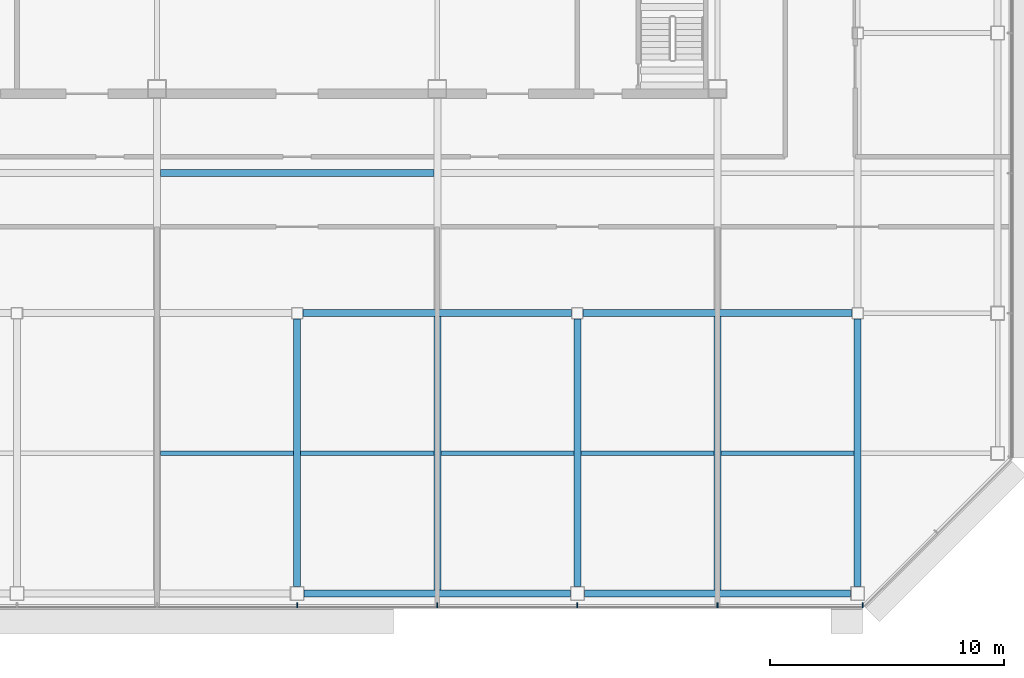
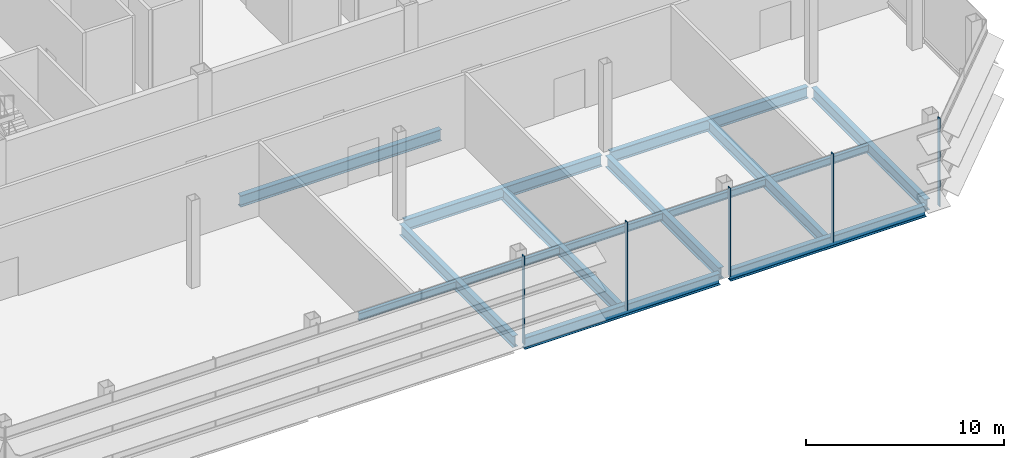
# One storey, part 9 of 26: 15 beams, 5 members, 1 element without a shape of its own.
"""IFC4 building model written with IfcOpenShell, lengths in metres."""

from ifc_helpers import new_model, si_unit, direction, frame, origin, origin_2d, place, context, subcontext, project, spatial, rectangle, i_section, extrude, material, material_profile, profile_set, type_object, element, aggregate, save


model = new_model("IFC4")

# Units and contexts
model_context = context("Model", 3, precision=1e-05, world=origin(), true_north=direction((0.0, 1.0)))
body_context = subcontext(model_context, "Body", "Model", "MODEL_VIEW")
ifc_project = project(units=[si_unit("LENGTHUNIT", "METRE"), si_unit("AREAUNIT", "SQUARE_METRE"), si_unit("VOLUMEUNIT", "CUBIC_METRE"), si_unit("PLANEANGLEUNIT", "RADIAN"), si_unit("MASSUNIT", "GRAM", prefix="KILO")], contexts=[model_context])

# Site, building, storey
site_placement = place(None, origin())
site = spatial("IfcSite", under=ifc_project, at=site_placement, CompositionType="ELEMENT")
building_placement = place(site_placement, origin())
building = spatial("IfcBuilding", under=site, at=building_placement, Name="Sorahane Residences", CompositionType="ELEMENT")
storey_placement = place(building_placement, frame((0.0, 0.0, 257.60009765625)))
storey = spatial("IfcBuildingStorey", under=building, at=storey_placement, Name="L61", CompositionType="ELEMENT", Elevation=257.60009765625)

# Curtain wall, members
ifc_material_1 = material(Name="Dark low-e glass and black anodised aluminium", Category="aluminium")
curtain_wall_type = type_object("IfcCurtainWallType", Name="Curtain wall CW-4 Sky floor frameless wall", PredefinedType="NOTDEFINED", material=ifc_material_1)
curtain_wall_placement = place(storey_placement, origin())
curtain_wall = element("IfcCurtainWall", 1, at=curtain_wall_placement, inside=storey, type_object=curtain_wall_type, Name="CW-4 curtain wall L61 S1", PredefinedType="NOTDEFINED")
ifc_material_2 = material(Name="Black anodised aluminium", Category="aluminium")
ifc_material_profile_1 = material_profile(ifc_material_2, rectangle(XDim=0.219970703125, YDim=0.050048828125, at=origin_2d()), Name="Curtain wall mullion CW-4 black anodised aluminium 50x220")
ifc_profile_set_1 = profile_set([ifc_material_profile_1], Name="Black anodised aluminium")
member_type = type_object("IfcMemberType", Name="Curtain wall mullion CW-4 black anodised aluminium 50x220", PredefinedType="MULLION", material=ifc_profile_set_1)
member_1_placement = place(storey_placement, frame((24.0, -0.510009765625, -0.22021484375), z_axis=(0.0, 0.0, 1.0), x_axis=(0.0, -1.0, 0.0)))
member_1 = element("IfcMember", 2, at=member_1_placement, type_object=member_type, Name="CW-4 mullion L61 S1.6", PredefinedType="MULLION", context=body_context, shape_type="SweptSolid", body=[
    extrude(rectangle(XDim=0.219970703125, YDim=0.050048828125, at=origin_2d()), origin(), (0.0, 0.0, 1.0), 5.440185546875),
])
member_2_placement = place(storey_placement, frame((30.0, -0.510009765625, -0.22021484375), z_axis=(0.0, 0.0, 1.0), x_axis=(0.0, -1.0, 0.0)))
member_2 = element("IfcMember", 3, at=member_2_placement, type_object=member_type, Name="CW-4 mullion L61 S1.7", PredefinedType="MULLION", context=body_context, shape_type="SweptSolid", body=[
    extrude(rectangle(XDim=0.219970703125, YDim=0.050048828125, at=origin_2d()), origin(), (0.0, 0.0, 1.0), 5.440185546875),
])
member_3_placement = place(storey_placement, frame((36.0, -0.510009765625, -0.22021484375), z_axis=(0.0, 0.0, 1.0), x_axis=(0.0, -1.0, 0.0)))
member_3 = element("IfcMember", 4, at=member_3_placement, type_object=member_type, Name="CW-4 mullion L61 S1.8", PredefinedType="MULLION", context=body_context, shape_type="SweptSolid", body=[
    extrude(rectangle(XDim=0.219970703125, YDim=0.050048828125, at=origin_2d()), origin(), (0.0, 0.0, 1.0), 5.440185546875),
])
member_4_placement = place(storey_placement, frame((42.0, -0.510009765625, -0.22021484375), z_axis=(0.0, 0.0, 1.0), x_axis=(0.0, -1.0, 0.0)))
member_4 = element("IfcMember", 5, at=member_4_placement, type_object=member_type, Name="CW-4 mullion L61 S1.9", PredefinedType="MULLION", context=body_context, shape_type="SweptSolid", body=[
    extrude(rectangle(XDim=0.219970703125, YDim=0.050048828125, at=origin_2d()), origin(), (0.0, 0.0, 1.0), 5.440185546875),
])
member_5_placement = place(storey_placement, frame((48.2236328125, -0.510009765625, -0.22021484375), z_axis=(0.0, 0.0, 1.0), x_axis=(0.0, -1.0, 0.0)))
member_5 = element("IfcMember", 6, at=member_5_placement, type_object=member_type, Name="CW-4 mullion L61 S1.10", PredefinedType="MULLION", context=body_context, shape_type="SweptSolid", body=[
    extrude(rectangle(XDim=0.219970703125, YDim=0.050048828125, at=origin_2d()), origin(), (0.0, 0.0, 1.0), 5.440185546875),
])
aggregate(curtain_wall, [member_1, member_2, member_3, member_4, member_5])

# Beams
ifc_material_3 = material(Name="Steel Q355B", Category="steel")
ifc_material_profile_2 = material_profile(ifc_material_3, i_section(OverallWidth=0.199951171875, OverallDepth=0.449951171875, WebThickness=0.009033203125, FlangeThickness=0.013916015625, FilletRadius=0.02001953125, at=origin_2d()), Name="HN 450x200x9x14")
ifc_profile_set_2 = profile_set([ifc_material_profile_2], Name="Steel Q355B")
beam_type_1 = type_object("IfcBeamType", Name="Steel floor beam HN 450x200x9x14 Q355B", PredefinedType="BEAM", material=ifc_profile_set_2)
for number, where, z_axis, x_axis, name in (
    (7, (18.14990234375, 6.0, -0.445068359375), (1.0, 0.0, 0.0), (0.0, 1.0, 0.0), "Beam L61 072"),
    (8, (24.14990234375, 6.0, -0.445068359375), (1.0, 0.0, 0.0), (0.0, 1.0, 0.0), "Beam L61 073"),
    (9, (30.14990234375, 6.0, -0.445068359375), (1.0, 0.0, 0.0), (0.0, 1.0, 0.0), "Beam L61 074"),
    (10, (36.14990234375, 6.0, -0.445068359375), (1.0, 0.0, 0.0), (0.0, 1.0, 0.0), "Beam L61 075"),
    (11, (42.14990234375, 6.0, -0.445068359375), (1.0, 0.0, 0.0), (0.0, 1.0, 0.0), "Beam L61 076"),
):
    element("IfcBeam", number, at=place(storey_placement, frame(where, z_axis=z_axis, x_axis=x_axis)), inside=storey, type_object=beam_type_1, Name=name, PredefinedType="BEAM", context=body_context, shape_type="SweptSolid", body=[
        extrude(i_section(OverallWidth=0.199951171875, OverallDepth=0.449951171875, WebThickness=0.009033203125, FlangeThickness=0.013916015625, FilletRadius=0.02001953125, at=origin_2d()), origin(), (0.0, 0.0, 1.0), 5.7001953125),
    ])
ifc_material_4 = material(Name="Steel Q355B", Category="steel")
ifc_material_profile_3 = material_profile(ifc_material_4, i_section(OverallWidth=0.300048828125, OverallDepth=0.699951171875, WebThickness=0.012939453125, FlangeThickness=0.02392578125, FilletRadius=0.028076171875, at=origin_2d()), Name="HN 700x300x13x24")
ifc_profile_set_3 = profile_set([ifc_material_profile_3], Name="Steel Q355B")
beam_type_2 = type_object("IfcBeamType", Name="Steel floor beam HN 700x300x13x24 Q355B", PredefinedType="BEAM", material=ifc_profile_set_3)
for number, where, z_axis, x_axis, name in (
    (12, (24.300048828125, 0.0, -0.570068359375), (1.0, 0.0, 0.0), (0.0, 1.0, 0.0), "Beam L61 003"),
    (13, (36.300048828125, 0.0, -0.570068359375), (1.0, 0.0, 0.0), (0.0, 1.0, 0.0), "Beam L61 004"),
):
    element("IfcBeam", number, at=place(storey_placement, frame(where, z_axis=z_axis, x_axis=x_axis)), inside=storey, type_object=beam_type_2, Name=name, PredefinedType="BEAM", context=body_context, shape_type="SweptSolid", body=[
        extrude(i_section(OverallWidth=0.300048828125, OverallDepth=0.699951171875, WebThickness=0.012939453125, FlangeThickness=0.02392578125, FilletRadius=0.028076171875, at=origin_2d()), origin(), (0.0, 0.0, 1.0), 11.39990234375),
    ])
for number, where, z_axis, x_axis, name in (
    (14, (24.25, 12.0, -0.570068359375), (1.0, 0.0, 0.0), (0.0, 1.0, 0.0), "Beam L61 008"),
    (15, (36.25, 12.0, -0.570068359375), (1.0, 0.0, 0.0), (0.0, 1.0, 0.0), "Beam L61 009"),
):
    element("IfcBeam", number, at=place(storey_placement, frame(where, z_axis=z_axis, x_axis=x_axis)), inside=storey, type_object=beam_type_2, Name=name, PredefinedType="BEAM", context=body_context, shape_type="SweptSolid", body=[
        extrude(i_section(OverallWidth=0.300048828125, OverallDepth=0.699951171875, WebThickness=0.012939453125, FlangeThickness=0.02392578125, FilletRadius=0.028076171875, at=origin_2d()), origin(), (0.0, 0.0, 1.0), 11.5),
    ])
beam_1_placement = place(storey_placement, frame((24.0, 0.300048828125, -0.570068359375), z_axis=(0.0, 1.0, 0.0), x_axis=(-1.0, 0.0, 0.0)))
element("IfcBeam", 16, at=beam_1_placement, inside=storey, type_object=beam_type_2, Name="Beam L61 042", PredefinedType="BEAM", context=body_context, shape_type="SweptSolid", body=[
    extrude(i_section(OverallWidth=0.300048828125, OverallDepth=0.699951171875, WebThickness=0.012939453125, FlangeThickness=0.02392578125, FilletRadius=0.028076171875, at=origin_2d()), origin(), (0.0, 0.0, 1.0), 11.449951171875),
])
beam_2_placement = place(storey_placement, frame((30.0, 0.14990234375, -0.570068359375), z_axis=(0.0, 1.0, 0.0), x_axis=(-1.0, 0.0, 0.0)))
element("IfcBeam", 17, at=beam_2_placement, inside=storey, type_object=beam_type_2, Name="Beam L61 044", PredefinedType="BEAM", context=body_context, shape_type="SweptSolid", body=[
    extrude(i_section(OverallWidth=0.300048828125, OverallDepth=0.699951171875, WebThickness=0.012939453125, FlangeThickness=0.02392578125, FilletRadius=0.028076171875, at=origin_2d()), origin(), (0.0, 0.0, 1.0), 11.7001953125),
])
beam_3_placement = place(storey_placement, frame((36.0, 0.300048828125, -0.570068359375), z_axis=(0.0, 1.0, 0.0), x_axis=(-1.0, 0.0, 0.0)))
element("IfcBeam", 18, at=beam_3_placement, inside=storey, type_object=beam_type_2, Name="Beam L61 050", PredefinedType="BEAM", context=body_context, shape_type="SweptSolid", body=[
    extrude(i_section(OverallWidth=0.300048828125, OverallDepth=0.699951171875, WebThickness=0.012939453125, FlangeThickness=0.02392578125, FilletRadius=0.028076171875, at=origin_2d()), origin(), (0.0, 0.0, 1.0), 11.449951171875),
])
beam_4_placement = place(storey_placement, frame((42.0, 0.14990234375, -0.570068359375), z_axis=(0.0, 1.0, 0.0), x_axis=(-1.0, 0.0, 0.0)))
element("IfcBeam", 19, at=beam_4_placement, inside=storey, type_object=beam_type_2, Name="Beam L61 052", PredefinedType="BEAM", context=body_context, shape_type="SweptSolid", body=[
    extrude(i_section(OverallWidth=0.300048828125, OverallDepth=0.699951171875, WebThickness=0.012939453125, FlangeThickness=0.02392578125, FilletRadius=0.028076171875, at=origin_2d()), origin(), (0.0, 0.0, 1.0), 11.7001953125),
])
beam_5_placement = place(storey_placement, frame((48.0, 0.300048828125, -0.570068359375), z_axis=(0.0, 1.0, 0.0), x_axis=(-1.0, 0.0, 0.0)))
element("IfcBeam", 20, at=beam_5_placement, inside=storey, type_object=beam_type_2, Name="Beam L61 058", PredefinedType="BEAM", context=body_context, shape_type="SweptSolid", body=[
    extrude(i_section(OverallWidth=0.300048828125, OverallDepth=0.699951171875, WebThickness=0.012939453125, FlangeThickness=0.02392578125, FilletRadius=0.028076171875, at=origin_2d()), origin(), (0.0, 0.0, 1.0), 11.449951171875),
])
beam_6_placement = place(storey_placement, frame((18.14990234375, 18.0, -0.570068359375), z_axis=(1.0, 0.0, 0.0), x_axis=(0.0, 1.0, 0.0)))
element("IfcBeam", 21, at=beam_6_placement, inside=storey, type_object=beam_type_2, Name="Beam L61 081", PredefinedType="BEAM", context=body_context, shape_type="SweptSolid", body=[
    extrude(i_section(OverallWidth=0.300048828125, OverallDepth=0.699951171875, WebThickness=0.012939453125, FlangeThickness=0.02392578125, FilletRadius=0.028076171875, at=origin_2d()), origin(), (0.0, 0.0, 1.0), 11.7001953125),
])

save(model, "model.ifc")
